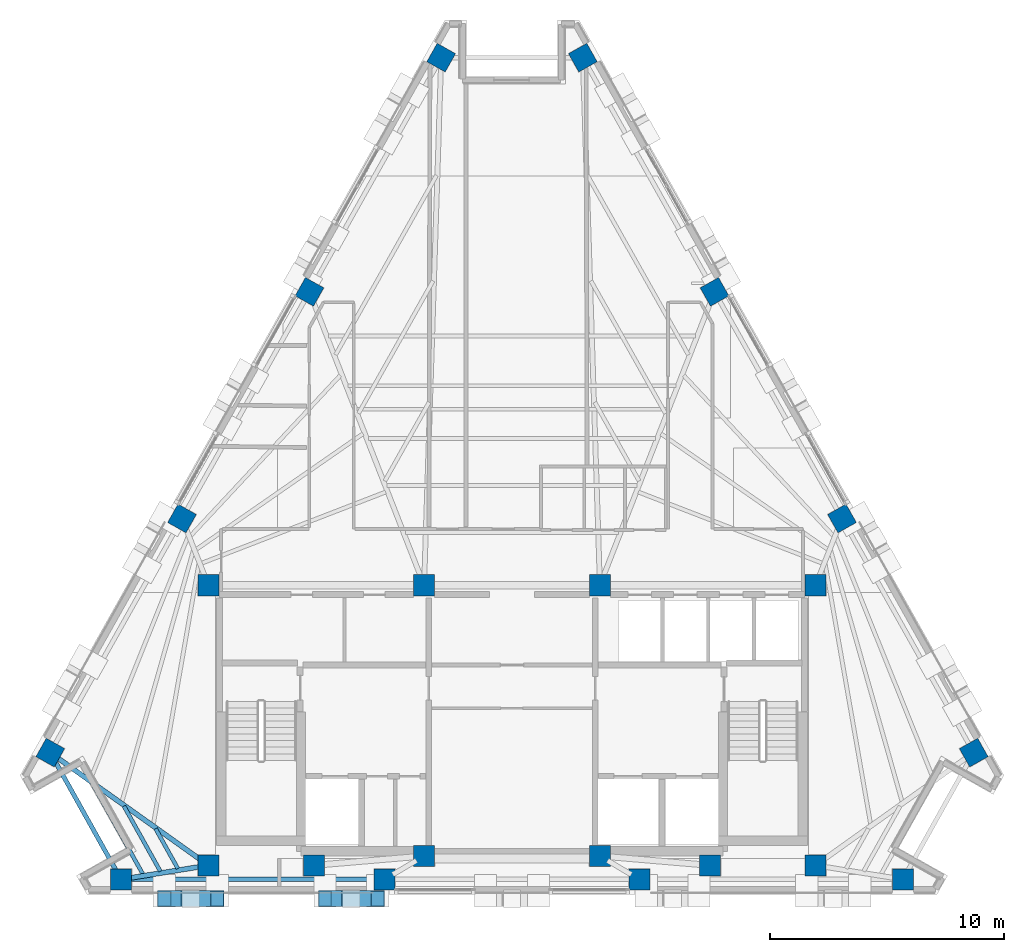
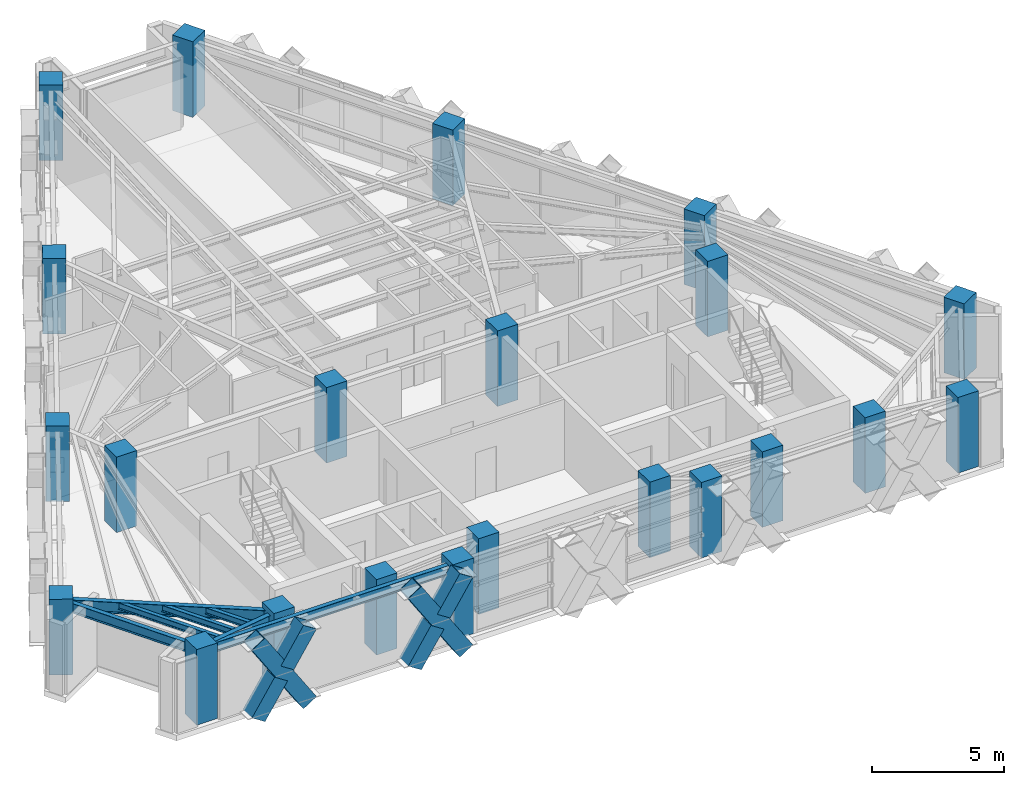
# One storey, part 1 of 12: 22 columns, 7 beams, 6 members.
"""IFC4 building model written with IfcOpenShell, lengths in metres."""

from ifc_helpers import new_model, si_unit, direction, frame, origin, origin_2d, place, context, subcontext, project, spatial, rectangle, hollow_rectangle, i_section, extrude, material, material_profile, profile_set, type_object, element, save


model = new_model("IFC4")

# Units and contexts
model_context = context("Model", 3, precision=1e-05, world=origin(), true_north=direction((0.0, 1.0)))
body_context = subcontext(model_context, "Body", "Model", "MODEL_VIEW")
ifc_project = project(units=[si_unit("LENGTHUNIT", "METRE"), si_unit("AREAUNIT", "SQUARE_METRE"), si_unit("VOLUMEUNIT", "CUBIC_METRE"), si_unit("PLANEANGLEUNIT", "RADIAN"), si_unit("MASSUNIT", "GRAM", prefix="KILO")], contexts=[model_context])

# Site, building, storey
site_placement = place(None, origin())
site = spatial("IfcSite", under=ifc_project, at=site_placement, CompositionType="ELEMENT")
building_placement = place(site_placement, origin())
building = spatial("IfcBuilding", under=site, at=building_placement, Name="Quenlor Broadcast Tower", CompositionType="ELEMENT")
storey_placement = place(building_placement, frame((0.0, 0.0, 204.39990234375)))
storey = spatial("IfcBuildingStorey", under=building, at=storey_placement, Name="L56", CompositionType="ELEMENT", Elevation=204.39990234375)

# Columns
ifc_material_1 = material(Name="Concrete C50/60", Category="concrete")
ifc_material_profile_1 = material_profile(ifc_material_1, rectangle(XDim=0.89990234375, YDim=0.89990234375, at=origin_2d()))
ifc_profile_set_1 = profile_set([ifc_material_profile_1], Name="Concrete C50/60 RC900x900")
column_type_1 = type_object("IfcColumnType", Name="Core Corner Column Upper Concrete C50/60 900", PredefinedType="COLUMN", material=ifc_profile_set_1)
for number, where, z_axis, x_axis, name in (
    (1, (-12.949951171875, -16.75, 0.0), (0.0, 0.0, 1.0), (1.0, 0.0, 0.0), "L56 Core Column CC1"),
    (2, (-8.449951171875, -16.75, 0.0), (0.0, 0.0, 1.0), (1.0, 0.0, 0.0), "L56 Core Column CC2"),
    (3, (-3.75, -16.35009765625, 0.0), (0.0, 0.0, 1.0), (1.0, 0.0, 0.0), "L56 Core Column CC3"),
    (4, (3.75, -16.35009765625, 0.0), (0.0, 0.0, 1.0), (1.0, 0.0, 0.0), "L56 Core Column CC4"),
    (5, (8.449951171875, -16.75, 0.0), (0.0, 0.0, 1.0), (1.0, 0.0, 0.0), "L56 Core Column CC5"),
    (6, (12.949951171875, -16.75, 0.0), (0.0, 0.0, 1.0), (1.0, 0.0, 0.0), "L56 Core Column CC6"),
    (7, (-12.949951171875, -4.800048828125, 0.0), (0.0, 0.0, 1.0), (1.0, 0.0, 0.0), "L56 Core Column CC7"),
    (8, (-3.75, -4.800048828125, 0.0), (0.0, 0.0, 1.0), (1.0, 0.0, 0.0), "L56 Core Column CC8"),
    (9, (3.75, -4.800048828125, 0.0), (0.0, 0.0, 1.0), (1.0, 0.0, 0.0), "L56 Core Column CC9"),
    (10, (12.949951171875, -4.800048828125, 0.0), (0.0, 0.0, 1.0), (1.0, 0.0, 0.0), "L56 Core Column CC10"),
):
    element("IfcColumn", number, at=place(storey_placement, frame(where, z_axis=z_axis, x_axis=x_axis)), inside=storey, type_object=column_type_1, Name=name, PredefinedType="COLUMN", context=body_context, shape_type="SweptSolid", body=[
        extrude(rectangle(XDim=0.89990234375, YDim=0.89990234375, at=origin_2d()), origin(), (0.0, 0.0, 1.0), 3.5),
    ])
ifc_material_2 = material(Name="Concrete C50/60", Category="concrete")
ifc_material_profile_2 = material_profile(ifc_material_2, rectangle(XDim=0.89990234375, YDim=0.89990234375, at=origin_2d()))
ifc_profile_set_2 = profile_set([ifc_material_profile_2], Name="Concrete C50/60 RC900x900")
column_type_2 = type_object("IfcColumnType", Name="Tower Perimeter Column Z4 Concrete C50/60 900", PredefinedType="COLUMN", material=ifc_profile_set_2)
for number, where, z_axis, x_axis, name in (
    (11, (-16.67578125, -17.35009765625, 0.0), (0.0, 0.0, 1.0), (0.0, 1.0, 0.0), "L56 Perimeter Column S1"),
    (12, (-5.437744140625, -17.35009765625, 0.0), (0.0, 0.0, 1.0), (0.0, 1.0, 0.0), "L56 Perimeter Column S2"),
    (13, (5.437744140625, -17.35009765625, 0.0), (0.0, 0.0, 1.0), (0.0, 1.0, 0.0), "L56 Perimeter Column S3"),
    (14, (16.67578125, -17.35009765625, 0.0), (0.0, 0.0, 1.0), (0.0, 1.0, 0.0), "L56 Perimeter Column S4"),
    (15, (19.696533203125, -11.941650390625, 0.0), (0.0, 0.0, 1.0), (0.871575139605, 0.490261946333, 0.0), "L56 Perimeter Column NE1"),
    (16, (14.077392578125, -1.952392578125, 0.0), (0.0, 0.0, 1.0), (0.871575139605, 0.490261946333, 0.0), "L56 Perimeter Column NE2"),
    (17, (8.6396484375, 7.71484375, 0.0), (0.0, 0.0, 1.0), (0.871575139605, 0.490261946333, 0.0), "L56 Perimeter Column NE3"),
    (18, (3.0205078125, 17.704345703125, 0.0), (0.0, 0.0, 1.0), (0.871575139605, 0.490261946333, 0.0), "L56 Perimeter Column NE4"),
    (19, (-3.0205078125, 17.704345703125, 0.0), (0.0, 0.0, 1.0), (-0.871575139605, 0.490261946333, 0.0), "L56 Perimeter Column NW1"),
    (20, (-8.6396484375, 7.71484375, 0.0), (0.0, 0.0, 1.0), (-0.871575139605, 0.490261946333, 0.0), "L56 Perimeter Column NW2"),
    (21, (-14.077392578125, -1.952392578125, 0.0), (0.0, 0.0, 1.0), (-0.871575139605, 0.490261946333, 0.0), "L56 Perimeter Column NW3"),
    (22, (-19.696533203125, -11.941650390625, 0.0), (0.0, 0.0, 1.0), (-0.871575139605, 0.490261946333, 0.0), "L56 Perimeter Column NW4"),
):
    element("IfcColumn", number, at=place(storey_placement, frame(where, z_axis=z_axis, x_axis=x_axis)), inside=storey, type_object=column_type_2, Name=name, PredefinedType="COLUMN", context=body_context, shape_type="SweptSolid", body=[
        extrude(rectangle(XDim=0.89990234375, YDim=0.89990234375, at=origin_2d()), origin(), (0.0, 0.0, 1.0), 3.5),
    ])

# Members
ifc_material_3 = material(Name="Steel S355", Category="steel")
ifc_material_profile_3 = material_profile(ifc_material_3, hollow_rectangle(XDim=0.679931640625, YDim=0.679931640625, WallThickness=0.02490234375, at=origin_2d()))
ifc_profile_set_3 = profile_set([ifc_material_profile_3], Name="Steel S355 RHS680x680x25")
member_type = type_object("IfcMemberType", Name="Perimeter Diagonal Lattice Brace Z3-Z4 Steel S355 RHS680x25", PredefinedType="BRACE", material=ifc_profile_set_3)
member_1_placement = place(storey_placement, frame((-5.722412109375, -18.169921875, -0.119873046875), z_axis=(-0.541794306908, 0.0, 0.840511111766), x_axis=(0.0, -1.0, 0.0)))
element("IfcMember", 23, at=member_1_placement, inside=storey, type_object=member_type, Name="L56 Perimeter Diamond Lattice S-C4XA", PredefinedType="BRACE", context=body_context, shape_type="SweptSolid", body=[
    extrude(hollow_rectangle(XDim=0.679931640625, YDim=0.679931640625, WallThickness=0.02490234375, at=origin_2d()), origin(), (0.0, 0.0, 1.0), 4.1640625),
])
member_2_placement = place(storey_placement, frame((-7.978515625, -18.169921875, -0.119873046875), z_axis=(0.54184151587, 0.0, 0.840480678945), x_axis=(0.0, 1.0, 0.0)))
element("IfcMember", 24, at=member_2_placement, inside=storey, type_object=member_type, Name="L56 Perimeter Diamond Lattice S-C4XB1", PredefinedType="BRACE", context=body_context, shape_type="SweptSolid", body=[
    extrude(hollow_rectangle(XDim=0.679931640625, YDim=0.679931640625, WallThickness=0.02490234375, at=origin_2d()), origin(), (0.0, 0.0, 1.0), 1.83203125),
])
member_3_placement = place(storey_placement, frame((-6.715087890625, -18.169921875, 1.840087890625), z_axis=(0.541780832962, 0.0, 0.840519796932), x_axis=(0.0, 1.0, 0.0)))
element("IfcMember", 25, at=member_3_placement, inside=storey, type_object=member_type, Name="L56 Perimeter Diamond Lattice S-C4XB2", PredefinedType="BRACE", context=body_context, shape_type="SweptSolid", body=[
    extrude(hollow_rectangle(XDim=0.679931640625, YDim=0.679931640625, WallThickness=0.02490234375, at=origin_2d()), origin(), (0.0, 0.0, 1.0), 1.832275390625),
])
member_4_placement = place(storey_placement, frame((-12.57275390625, -18.169921875, -0.119873046875), z_axis=(-0.541794306908, 0.0, 0.840511111766), x_axis=(0.0, -1.0, 0.0)))
element("IfcMember", 26, at=member_4_placement, inside=storey, type_object=member_type, Name="L56 Perimeter Diamond Lattice S-C5XA", PredefinedType="BRACE", context=body_context, shape_type="SweptSolid", body=[
    extrude(hollow_rectangle(XDim=0.679931640625, YDim=0.679931640625, WallThickness=0.02490234375, at=origin_2d()), origin(), (0.0, 0.0, 1.0), 4.1640625),
])
member_5_placement = place(storey_placement, frame((-14.828857421875, -18.169921875, -0.119873046875), z_axis=(0.54184151587, 0.0, 0.840480678945), x_axis=(0.0, 1.0, 0.0)))
element("IfcMember", 27, at=member_5_placement, inside=storey, type_object=member_type, Name="L56 Perimeter Diamond Lattice S-C5XB1", PredefinedType="BRACE", context=body_context, shape_type="SweptSolid", body=[
    extrude(hollow_rectangle(XDim=0.679931640625, YDim=0.679931640625, WallThickness=0.02490234375, at=origin_2d()), origin(), (0.0, 0.0, 1.0), 1.83203125),
])
member_6_placement = place(storey_placement, frame((-13.5654296875, -18.169921875, 1.840087890625), z_axis=(0.541780832962, 0.0, 0.840519796932), x_axis=(0.0, 1.0, 0.0)))
element("IfcMember", 28, at=member_6_placement, inside=storey, type_object=member_type, Name="L56 Perimeter Diamond Lattice S-C5XB2", PredefinedType="BRACE", context=body_context, shape_type="SweptSolid", body=[
    extrude(hollow_rectangle(XDim=0.679931640625, YDim=0.679931640625, WallThickness=0.02490234375, at=origin_2d()), origin(), (0.0, 0.0, 1.0), 1.832275390625),
])

# Beams
ifc_material_4 = material(Name="Steel S355", Category="steel")
ifc_material_profile_4 = material_profile(ifc_material_4, i_section(OverallWidth=0.18994140625, OverallDepth=0.453857421875, WebThickness=0.008544921875, FlangeThickness=0.0126953125, FilletRadius=0.011474609375, at=origin_2d()))
ifc_profile_set_4 = profile_set([ifc_material_profile_4], Name="Steel S355 460UB67.1")
beam_type_1 = type_object("IfcBeamType", Name="Perimeter Spandrel Beam Z4 Steel S355 460UB67.1", PredefinedType="SPANDREL", material=ifc_profile_set_4)
beam_1_placement = place(storey_placement, frame((-16.265869140625, -17.35009765625, 3.023193359375), z_axis=(1.0, 0.0, 0.0), x_axis=(0.0, 1.0, 0.0)))
element("IfcBeam", 29, at=beam_1_placement, inside=storey, type_object=beam_type_1, Name="L56 Spandrel Beam S1-S2", PredefinedType="SPANDREL", context=body_context, shape_type="SweptSolid", body=[
    extrude(i_section(OverallWidth=0.18994140625, OverallDepth=0.453857421875, WebThickness=0.008544921875, FlangeThickness=0.0126953125, FilletRadius=0.011474609375, at=origin_2d()), origin(), (0.0, 0.0, 1.0), 10.41796875),
])
beam_2_placement = place(storey_placement, frame((-19.49658203125, -12.2998046875, 3.023193359375), z_axis=(0.487647250206, -0.8730407547, 0.0), x_axis=(0.8730407547, 0.487647250206, 0.0)))
element("IfcBeam", 30, at=beam_2_placement, inside=storey, type_object=beam_type_1, Name="L56 Spandrel Beam NW4-S1", PredefinedType="SPANDREL", context=body_context, shape_type="SweptSolid", body=[
    extrude(i_section(OverallWidth=0.18994140625, OverallDepth=0.453857421875, WebThickness=0.008544921875, FlangeThickness=0.0126953125, FilletRadius=0.011474609375, at=origin_2d()), origin(), (0.0, 0.0, 1.0), 5.37451171875),
])
ifc_material_5 = material(Name="Steel S355", Category="steel")
ifc_material_profile_5 = material_profile(ifc_material_5, i_section(OverallWidth=0.166015625, OverallDepth=0.30712890625, WebThickness=0.006591796875, FlangeThickness=0.01171875, FilletRadius=0.011474609375, at=origin_2d()))
ifc_profile_set_5 = profile_set([ifc_material_profile_5], Name="Steel S355 310UB46.2")
beam_type_2 = type_object("IfcBeamType", Name="Tower Composite Joist Z4-Z5 Steel S355 310UB46.2", PredefinedType="JOIST", material=ifc_profile_set_5)
beam_3_placement = place(storey_placement, frame((-14.255859375, -16.88427734375, 3.096435546875), z_axis=(-0.487590799665, 0.873072283423, 0.0), x_axis=(-0.873072283423, -0.487590799665, 0.0)))
element("IfcBeam", 31, at=beam_3_placement, inside=storey, type_object=beam_type_2, Name="L56 Secondary Composite Joist 19", PredefinedType="JOIST", context=body_context, shape_type="SweptSolid", body=[
    extrude(i_section(OverallWidth=0.166015625, OverallDepth=0.30712890625, WebThickness=0.006591796875, FlangeThickness=0.01171875, FilletRadius=0.011474609375, at=origin_2d()), origin(), (0.0, 0.0, 1.0), 1.9462890625),
])
beam_4_placement = place(storey_placement, frame((-15.0009765625, -17.004150390625, 3.096435546875), z_axis=(-0.487646119388, 0.87304138633, 0.0), x_axis=(-0.87304138633, -0.487646119388, 0.0)))
element("IfcBeam", 32, at=beam_4_placement, inside=storey, type_object=beam_type_2, Name="L56 Secondary Composite Joist 20", PredefinedType="JOIST", context=body_context, shape_type="SweptSolid", body=[
    extrude(i_section(OverallWidth=0.166015625, OverallDepth=0.30712890625, WebThickness=0.006591796875, FlangeThickness=0.01171875, FilletRadius=0.011474609375, at=origin_2d()), origin(), (0.0, 0.0, 1.0), 3.18505859375),
])
beam_5_placement = place(storey_placement, frame((-15.74609375, -17.124267578125, 3.096435546875), z_axis=(-0.487604899573, 0.873064408799, 0.0), x_axis=(-0.873064408799, -0.487604899573, 0.0)))
element("IfcBeam", 33, at=beam_5_placement, inside=storey, type_object=beam_type_2, Name="L56 Secondary Composite Joist 21", PredefinedType="JOIST", context=body_context, shape_type="SweptSolid", body=[
    extrude(i_section(OverallWidth=0.166015625, OverallDepth=0.30712890625, WebThickness=0.006591796875, FlangeThickness=0.01171875, FilletRadius=0.011474609375, at=origin_2d()), origin(), (0.0, 0.0, 1.0), 4.424072265625),
])
ifc_material_6 = material(Name="Steel S355", Category="steel")
ifc_material_profile_6 = material_profile(ifc_material_6, i_section(OverallWidth=0.208984375, OverallDepth=0.5283203125, WebThickness=0.009521484375, FlangeThickness=0.01318359375, FilletRadius=0.013916015625, at=origin_2d()))
ifc_profile_set_6 = profile_set([ifc_material_profile_6], Name="Steel S355 530UB82.0")
beam_type_3 = type_object("IfcBeamType", Name="Tower Primary Floor Beam Z4 Steel S355 530UB82.0", PredefinedType="BEAM", material=ifc_profile_set_6)
beam_6_placement = place(storey_placement, frame((-16.27099609375, -17.284912109375, 2.986083984375), z_axis=(0.987268490875, 0.159062650942, 0.0), x_axis=(-0.159062650942, 0.987268490875, 0.0)))
element("IfcBeam", 34, at=beam_6_placement, inside=storey, type_object=beam_type_3, Name="L56 Primary Radial Beam S1", PredefinedType="BEAM", context=body_context, shape_type="SweptSolid", body=[
    extrude(i_section(OverallWidth=0.208984375, OverallDepth=0.5283203125, WebThickness=0.009521484375, FlangeThickness=0.01318359375, FilletRadius=0.013916015625, at=origin_2d()), origin(), (0.0, 0.0, 1.0), 2.98388671875),
])
beam_7_placement = place(storey_placement, frame((-19.362548828125, -12.1796875, 2.986083984375), z_axis=(0.814329531787, -0.580402802938, 0.0), x_axis=(0.580402802938, 0.814329531787, 0.0)))
element("IfcBeam", 35, at=beam_7_placement, inside=storey, type_object=beam_type_3, Name="L56 Primary Radial Beam NW4", PredefinedType="BEAM", context=body_context, shape_type="SweptSolid", body=[
    extrude(i_section(OverallWidth=0.208984375, OverallDepth=0.5283203125, WebThickness=0.009521484375, FlangeThickness=0.01318359375, FilletRadius=0.013916015625, at=origin_2d()), origin(), (0.0, 0.0, 1.0), 7.49462890625),
])

save(model, "model.ifc")
